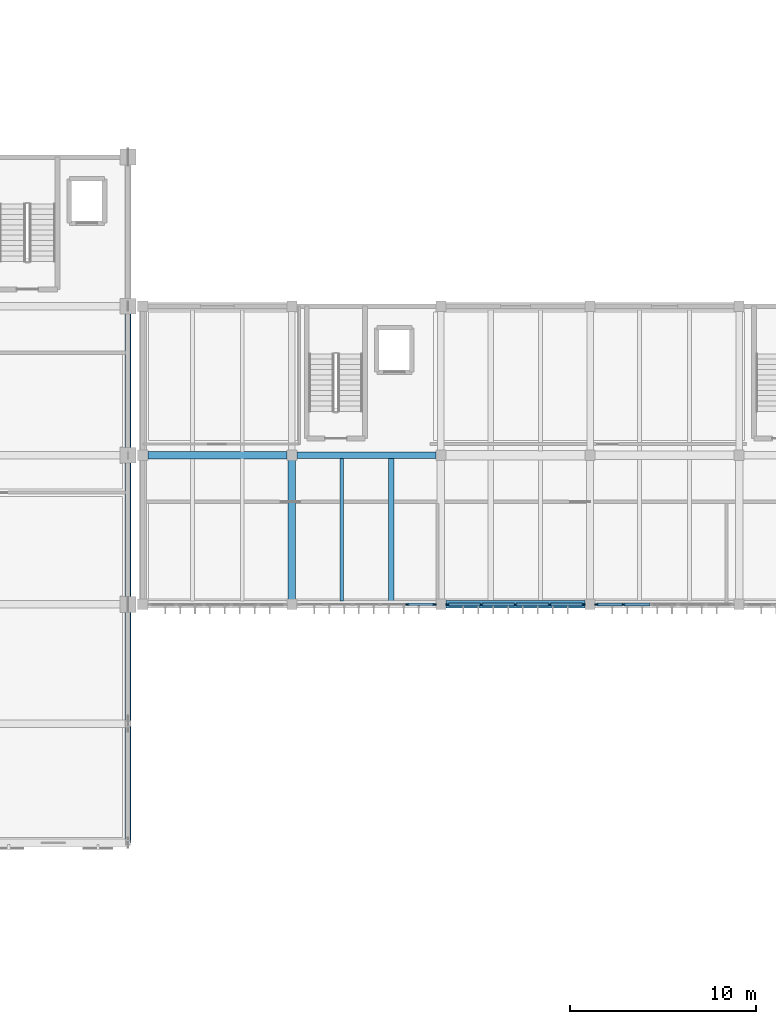
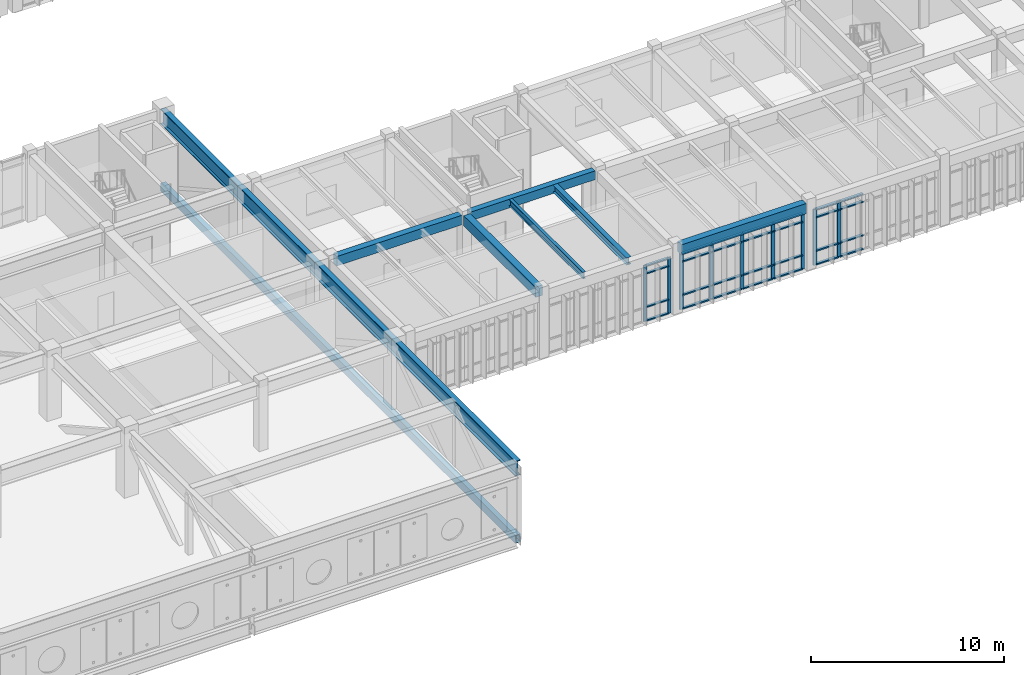
# One storey, part 15 of 79: 39 members, 6 beams, 3 elements without a shape of their own.
"""IFC4 building model written with IfcOpenShell, lengths in metres."""

from ifc_helpers import new_model, si_unit, direction, frame, origin, origin_2d, place, context, subcontext, project, spatial, rectangle, hollow_rectangle, i_section, extrude, material, material_profile, profile_set, type_object, element, aggregate, save


model = new_model("IFC4")

# Units and contexts
model_context = context("Model", 3, precision=1e-05, world=origin(), true_north=direction((0.0, 1.0)))
body_context = subcontext(model_context, "Body", "Model", "MODEL_VIEW")
ifc_project = project(units=[si_unit("LENGTHUNIT", "METRE"), si_unit("AREAUNIT", "SQUARE_METRE"), si_unit("VOLUMEUNIT", "CUBIC_METRE"), si_unit("PLANEANGLEUNIT", "RADIAN"), si_unit("MASSUNIT", "GRAM", prefix="KILO")], contexts=[model_context])

# Site, building, storey
site_placement = place(None, origin())
site = spatial("IfcSite", under=ifc_project, at=site_placement, CompositionType="ELEMENT")
building_placement = place(site_placement, origin())
building = spatial("IfcBuilding", under=site, at=building_placement, Name="Tlaxcora Railside Police Headquarters", CompositionType="ELEMENT")
storey_placement = place(building_placement, frame((0.0, 0.0, 9.0)))
storey = spatial("IfcBuildingStorey", under=building, at=storey_placement, Name="L02", CompositionType="ELEMENT", Elevation=9.0)

# Curtain wall, members
ifc_material_1 = material(Name="Thermally broken low-E insulated glazing", Category="glass")
curtain_wall_type_1 = type_object("IfcCurtainWallType", Name="Unitised Curtain Wall Assembly CW-23", PredefinedType="NOTDEFINED", material=ifc_material_1)
curtain_wall_1_placement = place(storey_placement, origin())
curtain_wall_1 = element("IfcCurtainWall", 1, at=curtain_wall_1_placement, inside=storey, type_object=curtain_wall_type_1, Name="V7 L02 curtain wall 180", PredefinedType="NOTDEFINED")
ifc_material_2 = material(Name="Anodised aluminium framing", Category="aluminium")
ifc_material_profile_1 = material_profile(ifc_material_2, rectangle(XDim=0.080078125, YDim=0.219970703125, at=origin_2d()), Name="AL80X220")
ifc_profile_set_1 = profile_set([ifc_material_profile_1], Name="Anodised aluminium framing")
member_type_1 = type_object("IfcMemberType", Name="Curtain Wall Mullion CW-31", PredefinedType="MULLION", material=ifc_profile_set_1)
member_1_placement = place(storey_placement, frame((127.1650390625, 36.0, 0.0), z_axis=(0.0, 0.0, 1.0), x_axis=(0.0, 1.0, 0.0)))
member_1 = element("IfcMember", 2, at=member_1_placement, type_object=member_type_1, Name="CW mullion 1", PredefinedType="MULLION", context=body_context, shape_type="SweptSolid", body=[
    extrude(rectangle(XDim=0.080078125, YDim=0.219970703125, at=origin_2d()), origin(), (0.0, 0.0, 1.0), 3.550048828125),
])
member_2_placement = place(storey_placement, frame((128.594970703125, 36.0, 0.0), z_axis=(0.0, 0.0, 1.0), x_axis=(0.0, 1.0, 0.0)))
member_2 = element("IfcMember", 3, at=member_2_placement, type_object=member_type_1, Name="CW mullion 2", PredefinedType="MULLION", context=body_context, shape_type="SweptSolid", body=[
    extrude(rectangle(XDim=0.080078125, YDim=0.219970703125, at=origin_2d()), origin(), (0.0, 0.0, 1.0), 3.550048828125),
])

curtain_wall_type_2 = type_object("IfcCurtainWallType", Name="Unitised Curtain Wall Assembly CW-15", PredefinedType="NOTDEFINED", material=ifc_material_1)
curtain_wall_2_placement = place(storey_placement, origin())
curtain_wall_2 = element("IfcCurtainWall", 4, at=curtain_wall_2_placement, inside=storey, type_object=curtain_wall_type_2, Name="V7 L02 curtain wall 178", PredefinedType="NOTDEFINED")
ifc_material_profile_2 = material_profile(ifc_material_2, rectangle(XDim=0.074951171875, YDim=0.199951171875, at=origin_2d()), Name="AL75X200")
ifc_profile_set_2 = profile_set([ifc_material_profile_2], Name="Anodised aluminium framing")
member_type_2 = type_object("IfcMemberType", Name="Curtain Wall Mullion CW-58", PredefinedType="MULLION", material=ifc_profile_set_2)
member_3_placement = place(storey_placement, frame((117.0048828125, 36.0, 0.0), z_axis=(0.0, 0.0, 1.0), x_axis=(0.0, 1.0, 0.0)))
member_3 = element("IfcMember", 5, at=member_3_placement, type_object=member_type_2, Name="CW mullion 5", PredefinedType="MULLION", context=body_context, shape_type="SweptSolid", body=[
    extrude(rectangle(XDim=0.074951171875, YDim=0.199951171875, at=origin_2d()), origin(), (0.0, 0.0, 1.0), 3.550048828125),
])
member_4_placement = place(storey_placement, frame((118.4375, 36.0, 0.0), z_axis=(0.0, 0.0, 1.0), x_axis=(0.0, 1.0, 0.0)))
member_4 = element("IfcMember", 6, at=member_4_placement, type_object=member_type_2, Name="CW mullion 6", PredefinedType="MULLION", context=body_context, shape_type="SweptSolid", body=[
    extrude(rectangle(XDim=0.074951171875, YDim=0.199951171875, at=origin_2d()), origin(), (0.0, 0.0, 1.0), 3.550048828125),
])

curtain_wall_type_3 = type_object("IfcCurtainWallType", Name="Unitised Curtain Wall Assembly CW-83", PredefinedType="NOTDEFINED", material=ifc_material_1)
curtain_wall_3_placement = place(storey_placement, origin())
curtain_wall_3 = element("IfcCurtainWall", 7, at=curtain_wall_3_placement, inside=storey, type_object=curtain_wall_type_3, Name="V7 L02 curtain wall 179", PredefinedType="NOTDEFINED")
ifc_material_profile_3 = material_profile(ifc_material_2, rectangle(XDim=0.080078125, YDim=0.2099609375, at=origin_2d()), Name="AL80X210")
ifc_profile_set_3 = profile_set([ifc_material_profile_3], Name="Anodised aluminium framing")
member_type_3 = type_object("IfcMemberType", Name="Curtain Wall Mullion CW-76", PredefinedType="MULLION", material=ifc_profile_set_3)
member_5_placement = place(storey_placement, frame((119.1650390625, 36.0, 0.0), z_axis=(0.0, 0.0, 1.0), x_axis=(0.0, 1.0, 0.0)))
member_5 = element("IfcMember", 8, at=member_5_placement, type_object=member_type_3, Name="CW mullion 1", PredefinedType="MULLION", context=body_context, shape_type="SweptSolid", body=[
    extrude(rectangle(XDim=0.080078125, YDim=0.2099609375, at=origin_2d()), origin(), (0.0, 0.0, 1.0), 3.550048828125),
])
member_6_placement = place(storey_placement, frame((120.96240234375, 36.0, 0.0), z_axis=(0.0, 0.0, 1.0), x_axis=(0.0, 1.0, 0.0)))
member_6 = element("IfcMember", 9, at=member_6_placement, type_object=member_type_3, Name="CW mullion 2", PredefinedType="MULLION", context=body_context, shape_type="SweptSolid", body=[
    extrude(rectangle(XDim=0.080078125, YDim=0.2099609375, at=origin_2d()), origin(), (0.0, 0.0, 1.0), 3.550048828125),
])
member_7_placement = place(storey_placement, frame((122.800048828125, 36.0, 0.0), z_axis=(0.0, 0.0, 1.0), x_axis=(0.0, 1.0, 0.0)))
member_7 = element("IfcMember", 10, at=member_7_placement, type_object=member_type_3, Name="CW mullion 3", PredefinedType="MULLION", context=body_context, shape_type="SweptSolid", body=[
    extrude(rectangle(XDim=0.080078125, YDim=0.2099609375, at=origin_2d()), origin(), (0.0, 0.0, 1.0), 3.550048828125),
])
member_8_placement = place(storey_placement, frame((124.637451171875, 36.0, 0.0), z_axis=(0.0, 0.0, 1.0), x_axis=(0.0, 1.0, 0.0)))
member_8 = element("IfcMember", 11, at=member_8_placement, type_object=member_type_3, Name="CW mullion 4", PredefinedType="MULLION", context=body_context, shape_type="SweptSolid", body=[
    extrude(rectangle(XDim=0.080078125, YDim=0.2099609375, at=origin_2d()), origin(), (0.0, 0.0, 1.0), 3.550048828125),
])
member_9_placement = place(storey_placement, frame((126.43505859375, 36.0, 0.0), z_axis=(0.0, 0.0, 1.0), x_axis=(0.0, 1.0, 0.0)))
member_9 = element("IfcMember", 12, at=member_9_placement, type_object=member_type_3, Name="CW mullion 5", PredefinedType="MULLION", context=body_context, shape_type="SweptSolid", body=[
    extrude(rectangle(XDim=0.080078125, YDim=0.2099609375, at=origin_2d()), origin(), (0.0, 0.0, 1.0), 3.550048828125),
])

# Member
ifc_material_profile_4 = material_profile(ifc_material_2, rectangle(XDim=0.14990234375, YDim=0.074951171875, at=origin_2d()), Name="AL75X150")
ifc_profile_set_4 = profile_set([ifc_material_profile_4], Name="Anodised aluminium framing")
member_type_4 = type_object("IfcMemberType", Name="Curtain Wall Transom CW-28", PredefinedType="USERDEFINED", material=ifc_profile_set_4)
member_10_placement = place(storey_placement, frame((117.04248046875, 36.0, 0.03759765625), z_axis=(1.0, 0.0, 0.0), x_axis=(0.0, 1.0, 0.0)))
member_10 = element("IfcMember", 13, at=member_10_placement, type_object=member_type_4, Name="CW transom 5.1", ObjectType="TRANSOM", PredefinedType="USERDEFINED", context=body_context, shape_type="SweptSolid", body=[
    extrude(rectangle(XDim=0.14990234375, YDim=0.074951171875, at=origin_2d()), origin(), (0.0, 0.0, 1.0), 1.357421875),
])

member_11_placement = place(storey_placement, frame((117.04248046875, 36.0, 0.89990234375), z_axis=(1.0, 0.0, 0.0), x_axis=(0.0, 1.0, 0.0)))
member_11 = element("IfcMember", 14, at=member_11_placement, type_object=member_type_4, Name="CW transom 5.2", ObjectType="TRANSOM", PredefinedType="USERDEFINED", context=body_context, shape_type="SweptSolid", body=[
    extrude(rectangle(XDim=0.14990234375, YDim=0.074951171875, at=origin_2d()), origin(), (0.0, 0.0, 1.0), 1.357421875),
])

member_12_placement = place(storey_placement, frame((117.04248046875, 36.0, 3.02001953125), z_axis=(1.0, 0.0, 0.0), x_axis=(0.0, 1.0, 0.0)))
member_12 = element("IfcMember", 15, at=member_12_placement, type_object=member_type_4, Name="CW transom 5.3", ObjectType="TRANSOM", PredefinedType="USERDEFINED", context=body_context, shape_type="SweptSolid", body=[
    extrude(rectangle(XDim=0.14990234375, YDim=0.074951171875, at=origin_2d()), origin(), (0.0, 0.0, 1.0), 1.357421875),
])

member_13_placement = place(storey_placement, frame((117.04248046875, 36.0, 3.512451171875), z_axis=(1.0, 0.0, 0.0), x_axis=(0.0, 1.0, 0.0)))
member_13 = element("IfcMember", 16, at=member_13_placement, type_object=member_type_4, Name="CW transom 5.4", ObjectType="TRANSOM", PredefinedType="USERDEFINED", context=body_context, shape_type="SweptSolid", body=[
    extrude(rectangle(XDim=0.14990234375, YDim=0.074951171875, at=origin_2d()), origin(), (0.0, 0.0, 1.0), 1.357421875),
])

aggregate(curtain_wall_2, [member_3, member_4, member_10, member_11, member_12, member_13])

ifc_material_profile_5 = material_profile(ifc_material_2, rectangle(XDim=0.1650390625, YDim=0.080078125, at=origin_2d()), Name="AL80X165")
ifc_profile_set_5 = profile_set([ifc_material_profile_5], Name="Anodised aluminium framing")
member_type_5 = type_object("IfcMemberType", Name="Curtain Wall Transom CW-62", PredefinedType="USERDEFINED", material=ifc_profile_set_5)
member_14_placement = place(storey_placement, frame((127.205078125, 36.0, 0.0400390625), z_axis=(1.0, 0.0, 0.0), x_axis=(0.0, 1.0, 0.0)))
member_14 = element("IfcMember", 17, at=member_14_placement, type_object=member_type_5, Name="CW transom 1.1", ObjectType="TRANSOM", PredefinedType="USERDEFINED", context=body_context, shape_type="SweptSolid", body=[
    extrude(rectangle(XDim=0.1650390625, YDim=0.080078125, at=origin_2d()), origin(), (0.0, 0.0, 1.0), 1.349853515625),
])

member_15_placement = place(storey_placement, frame((127.205078125, 36.0, 0.89990234375), z_axis=(1.0, 0.0, 0.0), x_axis=(0.0, 1.0, 0.0)))
member_15 = element("IfcMember", 18, at=member_15_placement, type_object=member_type_5, Name="CW transom 1.2", ObjectType="TRANSOM", PredefinedType="USERDEFINED", context=body_context, shape_type="SweptSolid", body=[
    extrude(rectangle(XDim=0.1650390625, YDim=0.080078125, at=origin_2d()), origin(), (0.0, 0.0, 1.0), 1.349853515625),
])

member_16_placement = place(storey_placement, frame((127.205078125, 36.0, 3.02001953125), z_axis=(1.0, 0.0, 0.0), x_axis=(0.0, 1.0, 0.0)))
member_16 = element("IfcMember", 19, at=member_16_placement, type_object=member_type_5, Name="CW transom 1.3", ObjectType="TRANSOM", PredefinedType="USERDEFINED", context=body_context, shape_type="SweptSolid", body=[
    extrude(rectangle(XDim=0.1650390625, YDim=0.080078125, at=origin_2d()), origin(), (0.0, 0.0, 1.0), 1.349853515625),
])

member_17_placement = place(storey_placement, frame((127.205078125, 36.0, 3.510009765625), z_axis=(1.0, 0.0, 0.0), x_axis=(0.0, 1.0, 0.0)))
member_17 = element("IfcMember", 20, at=member_17_placement, type_object=member_type_5, Name="CW transom 1.4", ObjectType="TRANSOM", PredefinedType="USERDEFINED", context=body_context, shape_type="SweptSolid", body=[
    extrude(rectangle(XDim=0.1650390625, YDim=0.080078125, at=origin_2d()), origin(), (0.0, 0.0, 1.0), 1.349853515625),
])

member_18_placement = place(storey_placement, frame((128.635009765625, 36.0, 0.0400390625), z_axis=(1.0, 0.0, 0.0), x_axis=(0.0, 1.0, 0.0)))
member_18 = element("IfcMember", 21, at=member_18_placement, type_object=member_type_5, Name="CW transom 2.1", ObjectType="TRANSOM", PredefinedType="USERDEFINED", context=body_context, shape_type="SweptSolid", body=[
    extrude(rectangle(XDim=0.1650390625, YDim=0.080078125, at=origin_2d()), origin(), (0.0, 0.0, 1.0), 1.389892578125),
])

member_19_placement = place(storey_placement, frame((128.635009765625, 36.0, 0.89990234375), z_axis=(1.0, 0.0, 0.0), x_axis=(0.0, 1.0, 0.0)))
member_19 = element("IfcMember", 22, at=member_19_placement, type_object=member_type_5, Name="CW transom 2.2", ObjectType="TRANSOM", PredefinedType="USERDEFINED", context=body_context, shape_type="SweptSolid", body=[
    extrude(rectangle(XDim=0.1650390625, YDim=0.080078125, at=origin_2d()), origin(), (0.0, 0.0, 1.0), 1.389892578125),
])

member_20_placement = place(storey_placement, frame((128.635009765625, 36.0, 3.02001953125), z_axis=(1.0, 0.0, 0.0), x_axis=(0.0, 1.0, 0.0)))
member_20 = element("IfcMember", 23, at=member_20_placement, type_object=member_type_5, Name="CW transom 2.3", ObjectType="TRANSOM", PredefinedType="USERDEFINED", context=body_context, shape_type="SweptSolid", body=[
    extrude(rectangle(XDim=0.1650390625, YDim=0.080078125, at=origin_2d()), origin(), (0.0, 0.0, 1.0), 1.389892578125),
])

member_21_placement = place(storey_placement, frame((128.635009765625, 36.0, 3.510009765625), z_axis=(1.0, 0.0, 0.0), x_axis=(0.0, 1.0, 0.0)))
member_21 = element("IfcMember", 24, at=member_21_placement, type_object=member_type_5, Name="CW transom 2.4", ObjectType="TRANSOM", PredefinedType="USERDEFINED", context=body_context, shape_type="SweptSolid", body=[
    extrude(rectangle(XDim=0.1650390625, YDim=0.080078125, at=origin_2d()), origin(), (0.0, 0.0, 1.0), 1.389892578125),
])

aggregate(curtain_wall_1, [member_1, member_2, member_14, member_15, member_16, member_17, member_18, member_19, member_20, member_21])

ifc_material_profile_6 = material_profile(ifc_material_2, rectangle(XDim=0.159912109375, YDim=0.080078125, at=origin_2d()), Name="AL80X160")
ifc_profile_set_6 = profile_set([ifc_material_profile_6], Name="Anodised aluminium framing")
member_type_6 = type_object("IfcMemberType", Name="Curtain Wall Transom CW-82", PredefinedType="USERDEFINED", material=ifc_profile_set_6)
member_22_placement = place(storey_placement, frame((119.205078125, 36.0, 0.0400390625), z_axis=(1.0, 0.0, 0.0), x_axis=(0.0, 1.0, 0.0)))
member_22 = element("IfcMember", 25, at=member_22_placement, type_object=member_type_6, Name="CW transom 1.1", ObjectType="TRANSOM", PredefinedType="USERDEFINED", context=body_context, shape_type="SweptSolid", body=[
    extrude(rectangle(XDim=0.159912109375, YDim=0.080078125, at=origin_2d()), origin(), (0.0, 0.0, 1.0), 1.717529296875),
])

member_23_placement = place(storey_placement, frame((119.205078125, 36.0, 0.89990234375), z_axis=(1.0, 0.0, 0.0), x_axis=(0.0, 1.0, 0.0)))
member_23 = element("IfcMember", 26, at=member_23_placement, type_object=member_type_6, Name="CW transom 1.2", ObjectType="TRANSOM", PredefinedType="USERDEFINED", context=body_context, shape_type="SweptSolid", body=[
    extrude(rectangle(XDim=0.159912109375, YDim=0.080078125, at=origin_2d()), origin(), (0.0, 0.0, 1.0), 1.717529296875),
])

member_24_placement = place(storey_placement, frame((119.205078125, 36.0, 3.02001953125), z_axis=(1.0, 0.0, 0.0), x_axis=(0.0, 1.0, 0.0)))
member_24 = element("IfcMember", 27, at=member_24_placement, type_object=member_type_6, Name="CW transom 1.3", ObjectType="TRANSOM", PredefinedType="USERDEFINED", context=body_context, shape_type="SweptSolid", body=[
    extrude(rectangle(XDim=0.159912109375, YDim=0.080078125, at=origin_2d()), origin(), (0.0, 0.0, 1.0), 1.717529296875),
])

member_25_placement = place(storey_placement, frame((119.205078125, 36.0, 3.510009765625), z_axis=(1.0, 0.0, 0.0), x_axis=(0.0, 1.0, 0.0)))
member_25 = element("IfcMember", 28, at=member_25_placement, type_object=member_type_6, Name="CW transom 1.4", ObjectType="TRANSOM", PredefinedType="USERDEFINED", context=body_context, shape_type="SweptSolid", body=[
    extrude(rectangle(XDim=0.159912109375, YDim=0.080078125, at=origin_2d()), origin(), (0.0, 0.0, 1.0), 1.717529296875),
])

member_26_placement = place(storey_placement, frame((121.00244140625, 36.0, 0.0400390625), z_axis=(1.0, 0.0, 0.0), x_axis=(0.0, 1.0, 0.0)))
member_26 = element("IfcMember", 29, at=member_26_placement, type_object=member_type_6, Name="CW transom 2.1", ObjectType="TRANSOM", PredefinedType="USERDEFINED", context=body_context, shape_type="SweptSolid", body=[
    extrude(rectangle(XDim=0.159912109375, YDim=0.080078125, at=origin_2d()), origin(), (0.0, 0.0, 1.0), 1.757568359375),
])

member_27_placement = place(storey_placement, frame((121.00244140625, 36.0, 0.89990234375), z_axis=(1.0, 0.0, 0.0), x_axis=(0.0, 1.0, 0.0)))
member_27 = element("IfcMember", 30, at=member_27_placement, type_object=member_type_6, Name="CW transom 2.2", ObjectType="TRANSOM", PredefinedType="USERDEFINED", context=body_context, shape_type="SweptSolid", body=[
    extrude(rectangle(XDim=0.159912109375, YDim=0.080078125, at=origin_2d()), origin(), (0.0, 0.0, 1.0), 1.757568359375),
])

member_28_placement = place(storey_placement, frame((121.00244140625, 36.0, 3.02001953125), z_axis=(1.0, 0.0, 0.0), x_axis=(0.0, 1.0, 0.0)))
member_28 = element("IfcMember", 31, at=member_28_placement, type_object=member_type_6, Name="CW transom 2.3", ObjectType="TRANSOM", PredefinedType="USERDEFINED", context=body_context, shape_type="SweptSolid", body=[
    extrude(rectangle(XDim=0.159912109375, YDim=0.080078125, at=origin_2d()), origin(), (0.0, 0.0, 1.0), 1.757568359375),
])

member_29_placement = place(storey_placement, frame((121.00244140625, 36.0, 3.510009765625), z_axis=(1.0, 0.0, 0.0), x_axis=(0.0, 1.0, 0.0)))
member_29 = element("IfcMember", 32, at=member_29_placement, type_object=member_type_6, Name="CW transom 2.4", ObjectType="TRANSOM", PredefinedType="USERDEFINED", context=body_context, shape_type="SweptSolid", body=[
    extrude(rectangle(XDim=0.159912109375, YDim=0.080078125, at=origin_2d()), origin(), (0.0, 0.0, 1.0), 1.757568359375),
])

member_30_placement = place(storey_placement, frame((122.840087890625, 36.0, 0.0400390625), z_axis=(1.0, 0.0, 0.0), x_axis=(0.0, 1.0, 0.0)))
member_30 = element("IfcMember", 33, at=member_30_placement, type_object=member_type_6, Name="CW transom 3.1", ObjectType="TRANSOM", PredefinedType="USERDEFINED", context=body_context, shape_type="SweptSolid", body=[
    extrude(rectangle(XDim=0.159912109375, YDim=0.080078125, at=origin_2d()), origin(), (0.0, 0.0, 1.0), 1.75732421875),
])

member_31_placement = place(storey_placement, frame((122.840087890625, 36.0, 0.89990234375), z_axis=(1.0, 0.0, 0.0), x_axis=(0.0, 1.0, 0.0)))
member_31 = element("IfcMember", 34, at=member_31_placement, type_object=member_type_6, Name="CW transom 3.2", ObjectType="TRANSOM", PredefinedType="USERDEFINED", context=body_context, shape_type="SweptSolid", body=[
    extrude(rectangle(XDim=0.159912109375, YDim=0.080078125, at=origin_2d()), origin(), (0.0, 0.0, 1.0), 1.75732421875),
])

member_32_placement = place(storey_placement, frame((122.840087890625, 36.0, 3.02001953125), z_axis=(1.0, 0.0, 0.0), x_axis=(0.0, 1.0, 0.0)))
member_32 = element("IfcMember", 35, at=member_32_placement, type_object=member_type_6, Name="CW transom 3.3", ObjectType="TRANSOM", PredefinedType="USERDEFINED", context=body_context, shape_type="SweptSolid", body=[
    extrude(rectangle(XDim=0.159912109375, YDim=0.080078125, at=origin_2d()), origin(), (0.0, 0.0, 1.0), 1.75732421875),
])

member_33_placement = place(storey_placement, frame((122.840087890625, 36.0, 3.510009765625), z_axis=(1.0, 0.0, 0.0), x_axis=(0.0, 1.0, 0.0)))
member_33 = element("IfcMember", 36, at=member_33_placement, type_object=member_type_6, Name="CW transom 3.4", ObjectType="TRANSOM", PredefinedType="USERDEFINED", context=body_context, shape_type="SweptSolid", body=[
    extrude(rectangle(XDim=0.159912109375, YDim=0.080078125, at=origin_2d()), origin(), (0.0, 0.0, 1.0), 1.75732421875),
])

member_34_placement = place(storey_placement, frame((124.677490234375, 36.0, 0.0400390625), z_axis=(1.0, 0.0, 0.0), x_axis=(0.0, 1.0, 0.0)))
member_34 = element("IfcMember", 37, at=member_34_placement, type_object=member_type_6, Name="CW transom 4.1", ObjectType="TRANSOM", PredefinedType="USERDEFINED", context=body_context, shape_type="SweptSolid", body=[
    extrude(rectangle(XDim=0.159912109375, YDim=0.080078125, at=origin_2d()), origin(), (0.0, 0.0, 1.0), 1.717529296875),
])

member_35_placement = place(storey_placement, frame((124.677490234375, 36.0, 0.89990234375), z_axis=(1.0, 0.0, 0.0), x_axis=(0.0, 1.0, 0.0)))
member_35 = element("IfcMember", 38, at=member_35_placement, type_object=member_type_6, Name="CW transom 4.2", ObjectType="TRANSOM", PredefinedType="USERDEFINED", context=body_context, shape_type="SweptSolid", body=[
    extrude(rectangle(XDim=0.159912109375, YDim=0.080078125, at=origin_2d()), origin(), (0.0, 0.0, 1.0), 1.717529296875),
])

member_36_placement = place(storey_placement, frame((124.677490234375, 36.0, 3.02001953125), z_axis=(1.0, 0.0, 0.0), x_axis=(0.0, 1.0, 0.0)))
member_36 = element("IfcMember", 39, at=member_36_placement, type_object=member_type_6, Name="CW transom 4.3", ObjectType="TRANSOM", PredefinedType="USERDEFINED", context=body_context, shape_type="SweptSolid", body=[
    extrude(rectangle(XDim=0.159912109375, YDim=0.080078125, at=origin_2d()), origin(), (0.0, 0.0, 1.0), 1.717529296875),
])

member_37_placement = place(storey_placement, frame((124.677490234375, 36.0, 3.510009765625), z_axis=(1.0, 0.0, 0.0), x_axis=(0.0, 1.0, 0.0)))
member_37 = element("IfcMember", 40, at=member_37_placement, type_object=member_type_6, Name="CW transom 4.4", ObjectType="TRANSOM", PredefinedType="USERDEFINED", context=body_context, shape_type="SweptSolid", body=[
    extrude(rectangle(XDim=0.159912109375, YDim=0.080078125, at=origin_2d()), origin(), (0.0, 0.0, 1.0), 1.717529296875),
])

aggregate(curtain_wall_3, [member_5, member_6, member_7, member_8, member_9, member_22, member_23, member_24, member_25, member_26, member_27, member_28, member_29, member_30, member_31, member_32, member_33, member_34, member_35, member_36, member_37])

# Beams
ifc_material_3 = material(Name="Concrete C40/50", Category="concrete")
ifc_material_profile_7 = material_profile(ifc_material_3, rectangle(XDim=0.39990234375, YDim=0.64990234375, at=origin_2d()), Name="RC400X650")
ifc_profile_set_7 = profile_set([ifc_material_profile_7], Name="Concrete C40/50")
beam_type_1 = type_object("IfcBeamType", Name="Perimeter Spandrel Beam BM-46", PredefinedType="SPANDREL", material=ifc_profile_set_7)
beam_1_placement = place(storey_placement, frame((119.06494140625, 36.0, 3.89501953125), z_axis=(1.0, 0.0, 0.0), x_axis=(0.0, 1.0, 0.0)))
element("IfcBeam", 41, at=beam_1_placement, inside=storey, type_object=beam_type_1, Name="V7 L02 X-girder Y=36.0", PredefinedType="SPANDREL", context=body_context, shape_type="SweptSolid", body=[
    extrude(rectangle(XDim=0.39990234375, YDim=0.64990234375, at=origin_2d()), origin(), (0.0, 0.0, 1.0), 7.469970703125),
])
ifc_material_profile_8 = material_profile(ifc_material_3, rectangle(XDim=0.3798828125, YDim=0.60009765625, at=origin_2d()), Name="RC380X600")
ifc_profile_set_8 = profile_set([ifc_material_profile_8], Name="Concrete C40/50")
beam_type_2 = type_object("IfcBeamType", Name="Primary Frame Girder BM-22", PredefinedType="BEAM", material=ifc_profile_set_8)
beam_2_placement = place(storey_placement, frame((103.06494140625, 44.0, 3.919921875), z_axis=(1.0, 0.0, 0.0), x_axis=(0.0, 1.0, 0.0)))
element("IfcBeam", 42, at=beam_2_placement, inside=storey, type_object=beam_type_2, Name="V7 L02 X-girder Y=44.0", PredefinedType="BEAM", context=body_context, shape_type="SweptSolid", body=[
    extrude(rectangle(XDim=0.3798828125, YDim=0.60009765625, at=origin_2d()), origin(), (0.0, 0.0, 1.0), 7.469970703125),
])
ifc_material_profile_9 = material_profile(ifc_material_3, rectangle(XDim=0.35009765625, YDim=0.550048828125, at=origin_2d()), Name="RC350X550")
ifc_profile_set_9 = profile_set([ifc_material_profile_9], Name="Concrete C40/50")
beam_type_3 = type_object("IfcBeamType", Name="Primary Frame Girder BM-39", PredefinedType="BEAM", material=ifc_profile_set_9)
beam_3_placement = place(storey_placement, frame((111.06494140625, 44.0, 3.945068359375), z_axis=(1.0, 0.0, 0.0), x_axis=(0.0, 1.0, 0.0)))
element("IfcBeam", 43, at=beam_3_placement, inside=storey, type_object=beam_type_3, Name="V7 L02 X-girder Y=44.0", PredefinedType="BEAM", context=body_context, shape_type="SweptSolid", body=[
    extrude(rectangle(XDim=0.35009765625, YDim=0.550048828125, at=origin_2d()), origin(), (0.0, 0.0, 1.0), 7.469970703125),
])
ifc_material_profile_10 = material_profile(ifc_material_3, rectangle(XDim=0.39990234375, YDim=0.64990234375, at=origin_2d()), Name="RC400X650")
ifc_profile_set_10 = profile_set([ifc_material_profile_10], Name="Concrete C40/50")
beam_type_4 = type_object("IfcBeamType", Name="Primary Frame Girder BM-41", PredefinedType="BEAM", material=ifc_profile_set_10)
beam_4_placement = place(storey_placement, frame((110.800048828125, 36.264892578125, 3.89501953125), z_axis=(0.0, 1.0, 0.0), x_axis=(-1.0, 0.0, 0.0)))
element("IfcBeam", 44, at=beam_4_placement, inside=storey, type_object=beam_type_4, Name="V7 L02 Y-girder X=110.8", PredefinedType="BEAM", context=body_context, shape_type="SweptSolid", body=[
    extrude(rectangle(XDim=0.39990234375, YDim=0.64990234375, at=origin_2d()), origin(), (0.0, 0.0, 1.0), 7.47021484375),
])
ifc_material_4 = material(Name="Steel ASTM A992 Grade 50", Category="steel")
ifc_material_profile_11 = material_profile(ifc_material_4, i_section(OverallWidth=0.280029296875, OverallDepth=0.4619140625, WebThickness=0.0107421875, FlangeThickness=0.017333984375, at=origin_2d()), Name="W18X76")
ifc_profile_set_11 = profile_set([ifc_material_profile_11], Name="Steel ASTM A992 Grade 50")
beam_type_5 = type_object("IfcBeamType", Name="Secondary Floor Joist BM-44", PredefinedType="JOIST", material=ifc_profile_set_11)
beam_5_placement = place(storey_placement, frame((116.13330078125, 36.19189453125, 3.989013671875), z_axis=(0.0, 1.0, 0.0), x_axis=(-1.0, 0.0, 0.0)))
element("IfcBeam", 45, at=beam_5_placement, inside=storey, type_object=beam_type_5, Name="V7 L02 floor joist X=116.13", PredefinedType="JOIST", context=body_context, shape_type="SweptSolid", body=[
    extrude(i_section(OverallWidth=0.280029296875, OverallDepth=0.4619140625, WebThickness=0.0107421875, FlangeThickness=0.017333984375, at=origin_2d()), origin(), (0.0, 0.0, 1.0), 7.64111328125),
])
ifc_material_profile_12 = material_profile(ifc_material_4, i_section(OverallWidth=0.180908203125, OverallDepth=0.4169921875, WebThickness=0.010009765625, FlangeThickness=0.018310546875, at=origin_2d()), Name="W16X57")
ifc_profile_set_12 = profile_set([ifc_material_profile_12], Name="Steel ASTM A992 Grade 50")
beam_type_6 = type_object("IfcBeamType", Name="Secondary Floor Joist BM-84", PredefinedType="JOIST", material=ifc_profile_set_12)
beam_6_placement = place(storey_placement, frame((113.466796875, 36.19189453125, 4.011474609375), z_axis=(0.0, 1.0, 0.0), x_axis=(-1.0, 0.0, 0.0)))
element("IfcBeam", 46, at=beam_6_placement, inside=storey, type_object=beam_type_6, Name="V7 L02 floor joist X=113.47", PredefinedType="JOIST", context=body_context, shape_type="SweptSolid", body=[
    extrude(i_section(OverallWidth=0.180908203125, OverallDepth=0.4169921875, WebThickness=0.010009765625, FlangeThickness=0.018310546875, at=origin_2d()), origin(), (0.0, 0.0, 1.0), 7.64111328125),
])

# Members
ifc_material_profile_13 = material_profile(ifc_material_4, hollow_rectangle(XDim=0.300048828125, YDim=0.5, WallThickness=0.01611328125, at=origin_2d()), Name="HSS500X300X16")
ifc_profile_set_13 = profile_set([ifc_material_profile_13], Name="Steel ASTM A992 Grade 50")
member_type_7 = type_object("IfcMemberType", Name="Truss Chord Member MB-41", PredefinedType="CHORD", material=ifc_profile_set_13)
member_38_placement = place(storey_placement, frame((102.0, 60.0, -0.77001953125), z_axis=(0.0, -1.0, 0.0), x_axis=(1.0, 0.0, 0.0)))
element("IfcMember", 47, at=member_38_placement, inside=storey, type_object=member_type_7, Name="Cantilever truss TR-4 bottom chord", PredefinedType="CHORD", context=body_context, shape_type="SweptSolid", body=[
    extrude(hollow_rectangle(XDim=0.300048828125, YDim=0.5, WallThickness=0.01611328125, at=origin_2d()), origin(), (0.0, 0.0, 1.0), 36.800048828125),
])
ifc_material_profile_14 = material_profile(ifc_material_4, i_section(OverallWidth=0.31005859375, OverallDepth=0.949951171875, WebThickness=0.0244140625, FlangeThickness=0.0439453125, at=origin_2d()), Name="W36X256")
ifc_profile_set_14 = profile_set([ifc_material_profile_14], Name="Steel ASTM A992 Grade 50")
member_type_8 = type_object("IfcMemberType", Name="Truss Chord Member MB-97", PredefinedType="CHORD", material=ifc_profile_set_14)
member_39_placement = place(storey_placement, frame((102.0, 60.0, 3.699951171875), z_axis=(0.0, -1.0, 0.0), x_axis=(1.0, 0.0, 0.0)))
element("IfcMember", 48, at=member_39_placement, inside=storey, type_object=member_type_8, Name="Cantilever truss TR-4 middle chord", PredefinedType="CHORD", context=body_context, shape_type="SweptSolid", body=[
    extrude(i_section(OverallWidth=0.31005859375, OverallDepth=0.949951171875, WebThickness=0.0244140625, FlangeThickness=0.0439453125, at=origin_2d()), origin(), (0.0, 0.0, 1.0), 36.800048828125),
])

save(model, "model.ifc")
